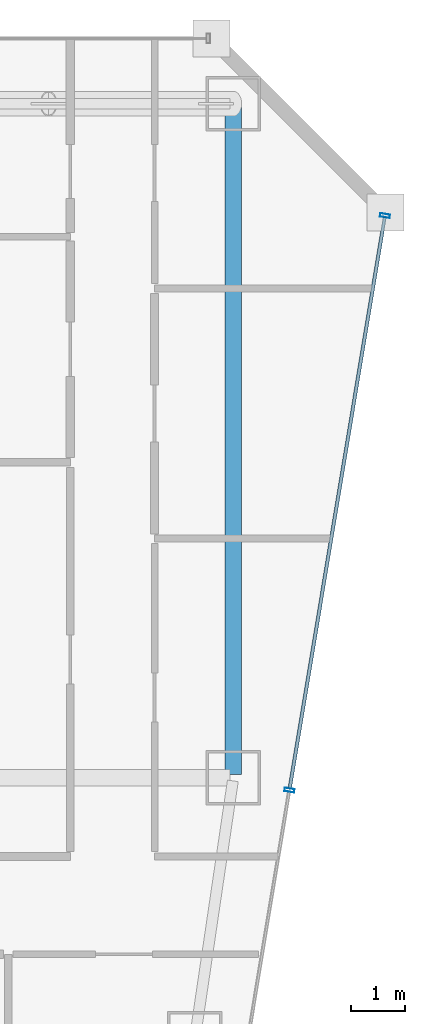
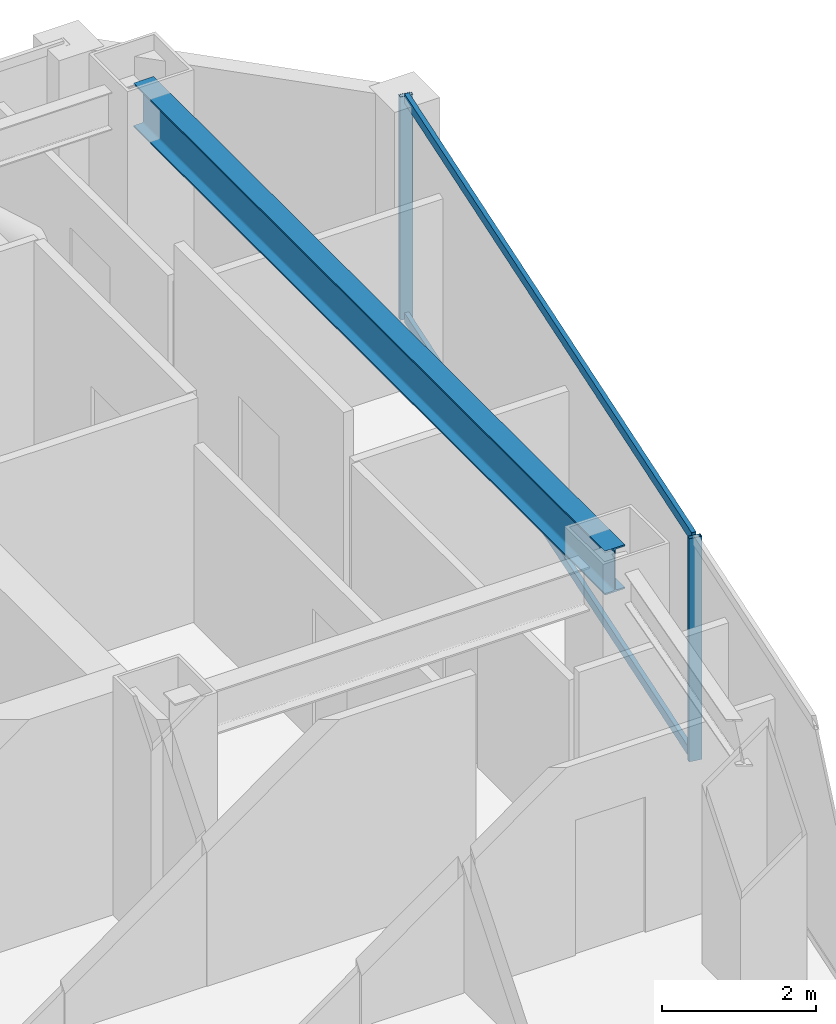
# One storey, part 26 of 37: 4 members, 1 beam, 1 element without a shape of its own.
"""IFC4 building model written with IfcOpenShell, lengths in metres."""

from ifc_helpers import new_model, si_unit, direction, frame, origin, origin_2d, place, context, subcontext, project, spatial, hollow_rectangle, i_section, extrude, material, material_profile, profile_set, type_object, element, aggregate, save


model = new_model("IFC4")

# Units and contexts
model_context = context("Model", 3, precision=1e-05, world=origin(), true_north=direction((0.0, 1.0)))
body_context = subcontext(model_context, "Body", "Model", "MODEL_VIEW")
ifc_project = project(units=[si_unit("LENGTHUNIT", "METRE"), si_unit("AREAUNIT", "SQUARE_METRE"), si_unit("VOLUMEUNIT", "CUBIC_METRE"), si_unit("PLANEANGLEUNIT", "RADIAN"), si_unit("MASSUNIT", "GRAM", prefix="KILO")], contexts=[model_context])

# Site, building, storey
site_placement = place(None, origin())
site = spatial("IfcSite", under=ifc_project, at=site_placement, CompositionType="ELEMENT")
building_placement = place(site_placement, origin())
building = spatial("IfcBuilding", under=site, at=building_placement, Name="Saevonmaru Cultural Tower", CompositionType="ELEMENT")
storey_placement = place(building_placement, frame((0.0, 0.0, 144.800048828125)))
storey = spatial("IfcBuildingStorey", under=building, at=storey_placement, Name="L31", CompositionType="ELEMENT", Elevation=144.800048828125)

# Beam
ifc_material_1 = material(Name="Steel SM355", Category="steel")
ifc_material_profile_1 = material_profile(ifc_material_1, i_section(OverallWidth=0.300048828125, OverallDepth=0.699951171875, WebThickness=0.012939453125, FlangeThickness=0.02392578125, FilletRadius=0.02587890625, at=origin_2d()), Name="H-700x300x13x24")
ifc_profile_set_1 = profile_set([ifc_material_profile_1], Name="Steel SM355")
beam_type = type_object("IfcBeamType", Name="BM-G-H700", PredefinedType="BEAM", material=ifc_profile_set_1)
beam_placement = place(storey_placement, frame((53.199951171875, 54.739990234375, 3.199951171875), z_axis=(0.0, -1.0, 0.0), x_axis=(1.0, 0.0, 0.0)))
element("IfcBeam", 1, at=beam_placement, inside=storey, type_object=beam_type, Name="L31 Spine Transverse Girder E", PredefinedType="BEAM", context=body_context, shape_type="SweptSolid", body=[
    extrude(i_section(OverallWidth=0.300048828125, OverallDepth=0.699951171875, WebThickness=0.012939453125, FlangeThickness=0.02392578125, FilletRadius=0.02587890625, at=origin_2d()), origin(), (0.0, 0.0, 1.0), 12.280029296875),
])

# Curtain wall, members
ifc_material_2 = material(Name="Satin Bronze Anodised Aluminium", Category="aluminium")
curtain_wall_type = type_object("IfcCurtainWallType", Name="CW-TYP-A", PredefinedType="NOTDEFINED", material=ifc_material_2)
curtain_wall_placement = place(storey_placement, origin())
curtain_wall = element("IfcCurtainWall", 2, at=curtain_wall_placement, inside=storey, type_object=curtain_wall_type, Name="L31 Unitised Curtain Wall E8", PredefinedType="NOTDEFINED")
ifc_material_profile_2 = material_profile(ifc_material_2, hollow_rectangle(XDim=0.06494140625, YDim=0.179931640625, WallThickness=0.00390625, at=origin_2d()), Name="ALU-MULL-180x65x4")
ifc_profile_set_2 = profile_set([ifc_material_profile_2], Name="Satin Bronze Anodised Aluminium")
member_type_1 = type_object("IfcMemberType", Name="ML-CW-180x65", PredefinedType="MULLION", material=ifc_profile_set_2)
member_1_placement = place(storey_placement, frame((54.23291015625, 42.17041015625, 0.0), z_axis=(0.0, 0.0, 1.0), x_axis=(0.163998702345, 0.986460554523, 0.0)))
member_1 = element("IfcMember", 3, at=member_1_placement, type_object=member_type_1, Name="CW-TW-L31-E8 mullion 4", PredefinedType="MULLION", context=body_context, shape_type="SweptSolid", body=[
    extrude(hollow_rectangle(XDim=0.06494140625, YDim=0.179931640625, WallThickness=0.00390625, at=origin_2d()), origin(), (0.0, 0.0, 1.0), 3.550048828125),
])
member_2_placement = place(storey_placement, frame((55.990234375, 52.74072265625, 0.0), z_axis=(0.0, 0.0, 1.0), x_axis=(0.163998702345, 0.986460554523, 0.0)))
member_2 = element("IfcMember", 4, at=member_2_placement, type_object=member_type_1, Name="CW-TW-L31-E8 mullion 5", PredefinedType="MULLION", context=body_context, shape_type="SweptSolid", body=[
    extrude(hollow_rectangle(XDim=0.06494140625, YDim=0.179931640625, WallThickness=0.00390625, at=origin_2d()), origin(), (0.0, 0.0, 1.0), 3.550048828125),
])
ifc_material_profile_3 = material_profile(ifc_material_2, hollow_rectangle(XDim=0.06494140625, YDim=0.14990234375, WallThickness=0.00390625, at=origin_2d()), Name="ALU-TRAN-150x65x4")
ifc_profile_set_3 = profile_set([ifc_material_profile_3], Name="Satin Bronze Anodised Aluminium")
member_type_2 = type_object("IfcMemberType", Name="TR-CW-150x65", PredefinedType="USERDEFINED", material=ifc_profile_set_3)
member_3_placement = place(storey_placement, frame((54.23828125, 42.202392578125, 0.032470703125), z_axis=(0.163990079074, 0.9864619881, 0.0), x_axis=(-0.9864619881, 0.163990079074, 0.0)))
member_3 = element("IfcMember", 5, at=member_3_placement, type_object=member_type_2, Name="CW-TW-L31-E8 transom 4.1", ObjectType="TRANSOM", PredefinedType="USERDEFINED", context=body_context, shape_type="SweptSolid", body=[
    extrude(hollow_rectangle(XDim=0.06494140625, YDim=0.14990234375, WallThickness=0.00390625, at=origin_2d()), origin(), (0.0, 0.0, 1.0), 10.650634765625),
])
member_4_placement = place(storey_placement, frame((54.23828125, 42.202392578125, 3.517333984375), z_axis=(0.163990079074, 0.9864619881, 0.0), x_axis=(-0.9864619881, 0.163990079074, 0.0)))
member_4 = element("IfcMember", 6, at=member_4_placement, type_object=member_type_2, Name="CW-TW-L31-E8 transom 4.2", ObjectType="TRANSOM", PredefinedType="USERDEFINED", context=body_context, shape_type="SweptSolid", body=[
    extrude(hollow_rectangle(XDim=0.06494140625, YDim=0.14990234375, WallThickness=0.00390625, at=origin_2d()), origin(), (0.0, 0.0, 1.0), 10.650634765625),
])
aggregate(curtain_wall, [member_1, member_2, member_3, member_4])

save(model, "model.ifc")
